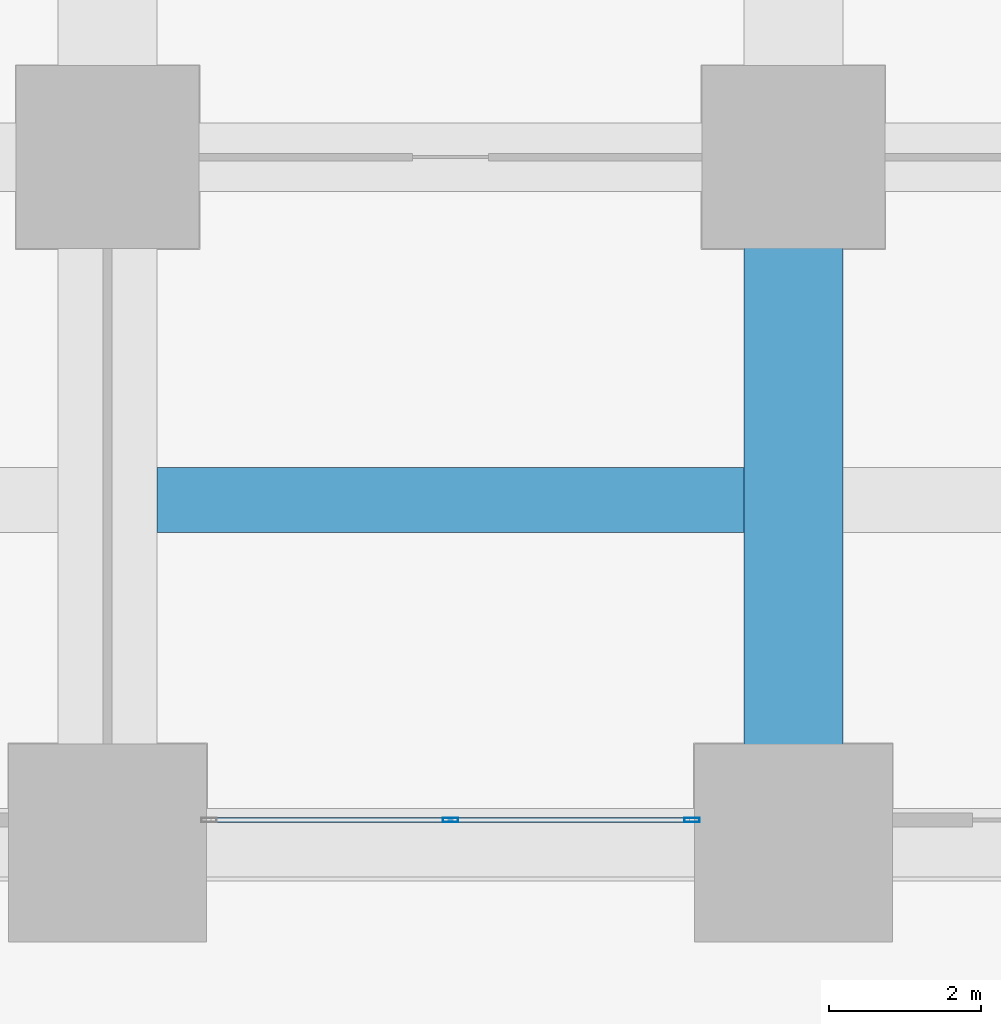
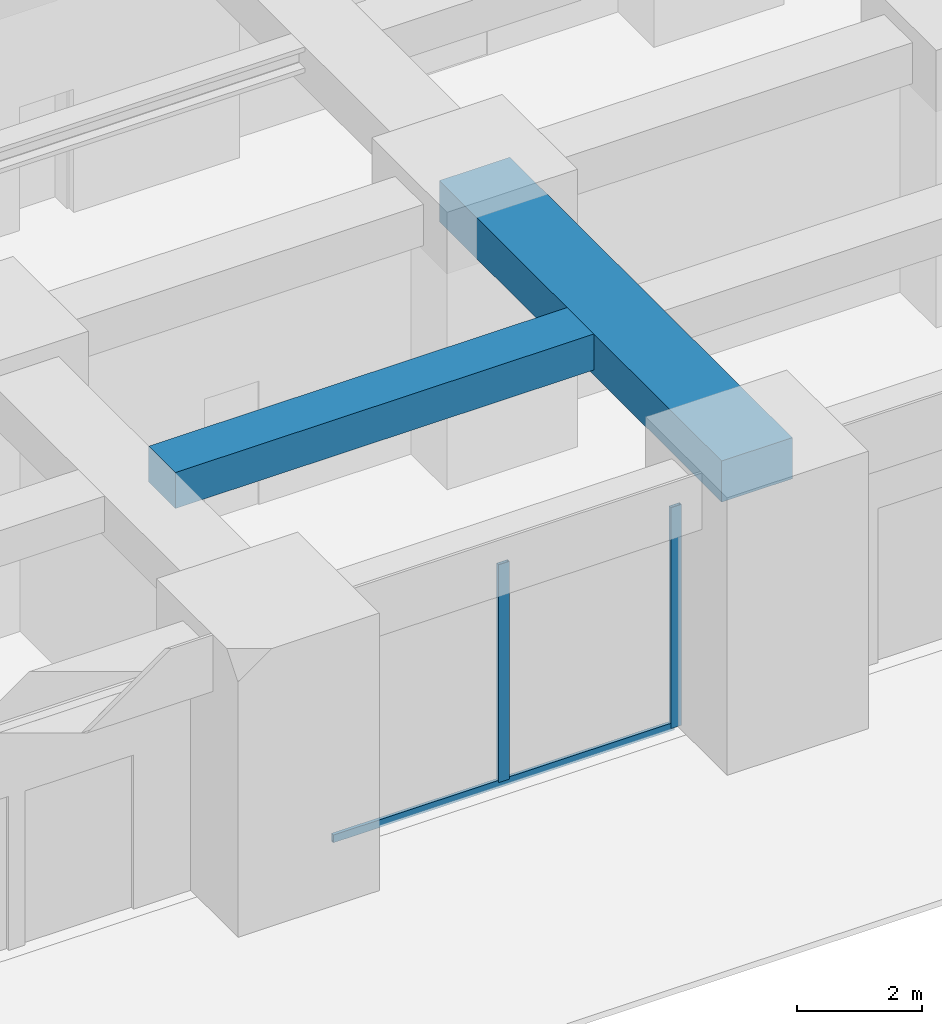
# One storey, part 15 of 56: 3 members, 2 beams, 1 element without a shape of its own.
"""IFC4 building model written with IfcOpenShell, lengths in metres."""

from ifc_helpers import new_model, si_unit, direction, frame, origin, origin_2d, place, context, subcontext, project, spatial, rectangle, hollow_rectangle, extrude, material, material_profile, profile_set, type_object, element, aggregate, save


model = new_model("IFC4")

# Units and contexts
model_context = context("Model", 3, precision=1e-05, world=origin(), true_north=direction((0.0, 1.0)))
body_context = subcontext(model_context, "Body", "Model", "MODEL_VIEW")
ifc_project = project(units=[si_unit("LENGTHUNIT", "METRE"), si_unit("AREAUNIT", "SQUARE_METRE"), si_unit("VOLUMEUNIT", "CUBIC_METRE"), si_unit("PLANEANGLEUNIT", "RADIAN"), si_unit("MASSUNIT", "GRAM", prefix="KILO")], contexts=[model_context])

# Site, building, storey
site_placement = place(None, origin())
site = spatial("IfcSite", under=ifc_project, at=site_placement, CompositionType="ELEMENT")
building_placement = place(site_placement, origin())
building = spatial("IfcBuilding", under=site, at=building_placement, Name="Zorevar Civic Tower", CompositionType="ELEMENT")
storey_placement = place(building_placement, origin())
storey = spatial("IfcBuildingStorey", under=building, at=storey_placement, Name="L00", CompositionType="ELEMENT", Elevation=0.0)

# Beams
ifc_material_1 = material(Name="Concrete C50/60", Category="concrete")
ifc_material_profile_1 = material_profile(ifc_material_1, rectangle(XDim=1.300048828125, YDim=0.800048828125, at=origin_2d()), Name="RC 1300x800")
ifc_profile_set_1 = profile_set([ifc_material_profile_1], Name="Concrete C50/60")
beam_type_1 = type_object("IfcBeamType", Name="Beam RC 1300x800", PredefinedType="BEAM", material=ifc_profile_set_1)
beam_1_placement = place(storey_placement, frame((45.0, 0.0, 4.699951171875), z_axis=(0.0, 1.0, 0.0), x_axis=(-1.0, 0.0, 0.0)))
element("IfcBeam", 1, at=beam_1_placement, inside=storey, type_object=beam_type_1, Name="Girder L01", PredefinedType="BEAM", context=body_context, shape_type="SweptSolid", body=[
    extrude(rectangle(XDim=1.300048828125, YDim=0.800048828125, at=origin_2d()), origin(), (0.0, 0.0, 1.0), 9.0),
])
ifc_material_2 = material(Name="Concrete C50/60", Category="concrete")
ifc_material_profile_2 = material_profile(ifc_material_2, rectangle(XDim=0.85009765625, YDim=0.699951171875, at=origin_2d()), Name="RC 850x700")
ifc_profile_set_2 = profile_set([ifc_material_profile_2], Name="Concrete C50/60")
beam_type_2 = type_object("IfcBeamType", Name="Beam RC 850x700", PredefinedType="BEAM", material=ifc_profile_set_2)
beam_2_placement = place(storey_placement, frame((36.64990234375, 4.5, 4.75), z_axis=(1.0, 0.0, 0.0), x_axis=(0.0, 1.0, 0.0)))
element("IfcBeam", 2, at=beam_2_placement, inside=storey, type_object=beam_type_2, Name="Secondary beam L01", PredefinedType="BEAM", context=body_context, shape_type="SweptSolid", body=[
    extrude(rectangle(XDim=0.85009765625, YDim=0.699951171875, at=origin_2d()), origin(), (0.0, 0.0, 1.0), 7.7001953125),
])

# Curtain wall, members
ifc_material_3 = material(Name="Dark grey solar-control glass in black aluminium frame", Category="aluminium")
curtain_wall_type = type_object("IfcCurtainWallType", Name="Curtain wall CW1 podium", PredefinedType="NOTDEFINED", material=ifc_material_3)
curtain_wall_placement = place(storey_placement, origin())
curtain_wall = element("IfcCurtainWall", 3, at=curtain_wall_placement, inside=storey, type_object=curtain_wall_type, Name="CW1 L00", PredefinedType="NOTDEFINED")
ifc_material_4 = material(Name="Aluminium, black anodised", Category="aluminium")
ifc_material_profile_3 = material_profile(ifc_material_4, hollow_rectangle(XDim=0.06005859375, YDim=0.199951171875, WallThickness=0.00390625, at=origin_2d()), Name="AL 200x60x4")
ifc_profile_set_3 = profile_set([ifc_material_profile_3], Name="Aluminium, black anodised")
member_type_1 = type_object("IfcMemberType", Name="CW1 mullion AL 200x60x4", PredefinedType="MULLION", material=ifc_profile_set_3)
member_1_placement = place(storey_placement, frame((40.5, 0.300048828125, 0.06005859375), z_axis=(0.0, 0.0, 1.0), x_axis=(0.0, 1.0, 0.0)))
member_1 = element("IfcMember", 4, at=member_1_placement, type_object=member_type_1, Name="CW1 mullion 2", PredefinedType="MULLION", context=body_context, shape_type="SweptSolid", body=[
    extrude(hollow_rectangle(XDim=0.06005859375, YDim=0.199951171875, WallThickness=0.00390625, at=origin_2d()), origin(), (0.0, 0.0, 1.0), 4.239990234375),
])
member_2_placement = place(storey_placement, frame((43.669921875, 0.300048828125, 0.0), z_axis=(0.0, 0.0, 1.0), x_axis=(0.0, 1.0, 0.0)))
member_2 = element("IfcMember", 5, at=member_2_placement, type_object=member_type_1, Name="CW1 mullion 3", PredefinedType="MULLION", context=body_context, shape_type="SweptSolid", body=[
    extrude(hollow_rectangle(XDim=0.06005859375, YDim=0.199951171875, WallThickness=0.00390625, at=origin_2d()), origin(), (0.0, 0.0, 1.0), 4.300048828125),
])
ifc_material_5 = material(Name="Aluminium, black anodised", Category="aluminium")
ifc_material_profile_4 = material_profile(ifc_material_5, hollow_rectangle(XDim=0.06005859375, YDim=0.14990234375, WallThickness=0.00390625, at=origin_2d()), Name="AL 150x60x4")
ifc_profile_set_4 = profile_set([ifc_material_profile_4], Name="Aluminium, black anodised")
member_type_2 = type_object("IfcMemberType", Name="CW1 transom AL 150x60x4", PredefinedType="USERDEFINED", material=ifc_profile_set_4)
member_3_placement = place(storey_placement, frame((37.360107421875, 0.300048828125, 0.030029296875), z_axis=(1.0, 0.0, 0.0), x_axis=(0.0, 1.0, 0.0)))
member_3 = element("IfcMember", 6, at=member_3_placement, type_object=member_type_2, Name="CW1 sill transom", ObjectType="TRANSOM", PredefinedType="USERDEFINED", context=body_context, shape_type="SweptSolid", body=[
    extrude(hollow_rectangle(XDim=0.06005859375, YDim=0.14990234375, WallThickness=0.00390625, at=origin_2d()), origin(), (0.0, 0.0, 1.0), 6.27978515625),
])
aggregate(curtain_wall, [member_1, member_2, member_3])

save(model, "model.ifc")
